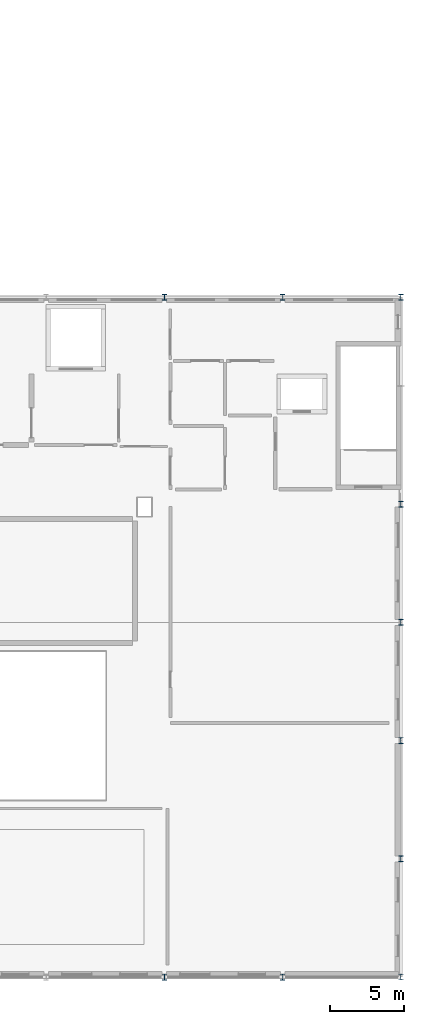
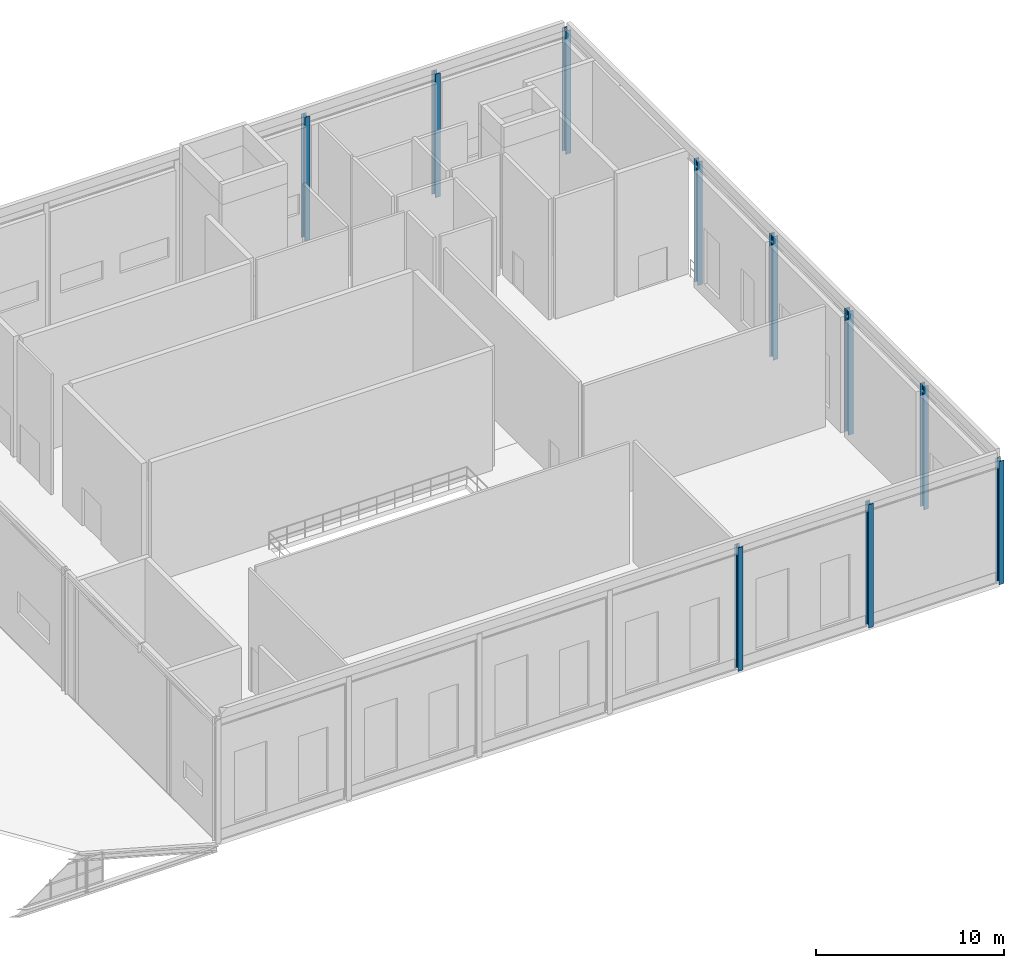
# One storey, part 2 of 49: 10 columns.
"""IFC4 building model written with IfcOpenShell, lengths in metres."""

from ifc_helpers import new_model, si_unit, direction, frame, origin, origin_2d, place, context, subcontext, project, spatial, i_section, extrude, material, material_profile, profile_set, type_object, element, save


model = new_model("IFC4")

# Units and contexts
model_context = context("Model", 3, precision=1e-05, world=origin(), true_north=direction((0.0, 1.0)))
body_context = subcontext(model_context, "Body", "Model", "MODEL_VIEW")
ifc_project = project(units=[si_unit("LENGTHUNIT", "METRE"), si_unit("AREAUNIT", "SQUARE_METRE"), si_unit("VOLUMEUNIT", "CUBIC_METRE"), si_unit("PLANEANGLEUNIT", "RADIAN"), si_unit("MASSUNIT", "GRAM", prefix="KILO")], contexts=[model_context])

# Site, building, storey
site_placement = place(None, origin())
site = spatial("IfcSite", under=ifc_project, at=site_placement, CompositionType="ELEMENT")
building_placement = place(site_placement, origin())
building = spatial("IfcBuilding", under=site, at=building_placement, Name="Sundkrona Museum", CompositionType="ELEMENT")
storey_placement = place(building_placement, frame((0.0, 0.0, 26.0)))
storey = spatial("IfcBuildingStorey", under=building, at=storey_placement, Name="L05", CompositionType="ELEMENT", Elevation=26.0)

# Columns
ifc_material = material(Name="Steel S355J2", Category="steel")
ifc_material_profile = material_profile(ifc_material, i_section(OverallWidth=0.300048828125, OverallDepth=0.39990234375, WebThickness=0.013427734375, FlangeThickness=0.02392578125, FilletRadius=0.027099609375, at=origin_2d()), Name="HEB 400")
ifc_profile_set = profile_set([ifc_material_profile], Name="Steel S355J2")
column_type = type_object("IfcColumnType", Name="C-HEB400", PredefinedType="COLUMN", material=ifc_profile_set)
for number, where, z_axis, x_axis, name in (
    (1, (152.0, 0.0, 0.0), (0.0, 0.0, 1.0), (1.0, 0.0, 0.0), "L05 Column A/20"),
    (2, (152.0, 46.0, 0.0), (0.0, 0.0, 1.0), (1.0, 0.0, 0.0), "L05 Column G/20"),
    (3, (160.0, 0.0, 0.0), (0.0, 0.0, 1.0), (1.0, 0.0, 0.0), "L05 Column A/21"),
    (4, (160.0, 46.0, 0.0), (0.0, 0.0, 1.0), (1.0, 0.0, 0.0), "L05 Column G/21"),
    (5, (168.0, 0.0, 0.0), (0.0, 0.0, 1.0), (1.0, 0.0, 0.0), "L05 Column A/22"),
    (6, (168.0, 8.0, 0.0), (0.0, 0.0, 1.0), (1.0, 0.0, 0.0), "L05 Column B/22"),
    (7, (168.0, 16.0, 0.0), (0.0, 0.0, 1.0), (1.0, 0.0, 0.0), "L05 Column C/22"),
    (8, (168.0, 24.0, 0.0), (0.0, 0.0, 1.0), (1.0, 0.0, 0.0), "L05 Column D/22"),
    (9, (168.0, 32.0, 0.0), (0.0, 0.0, 1.0), (1.0, 0.0, 0.0), "L05 Column E/22"),
    (10, (168.0, 46.0, 0.0), (0.0, 0.0, 1.0), (1.0, 0.0, 0.0), "L05 Column G/22"),
):
    element("IfcColumn", number, at=place(storey_placement, frame(where, z_axis=z_axis, x_axis=x_axis)), inside=storey, type_object=column_type, Name=name, PredefinedType="COLUMN", context=body_context, shape_type="SweptSolid", body=[
        extrude(i_section(OverallWidth=0.300048828125, OverallDepth=0.39990234375, WebThickness=0.013427734375, FlangeThickness=0.02392578125, FilletRadius=0.027099609375, at=origin_2d()), origin(), (0.0, 0.0, 1.0), 8.0),
    ])

save(model, "model.ifc")
